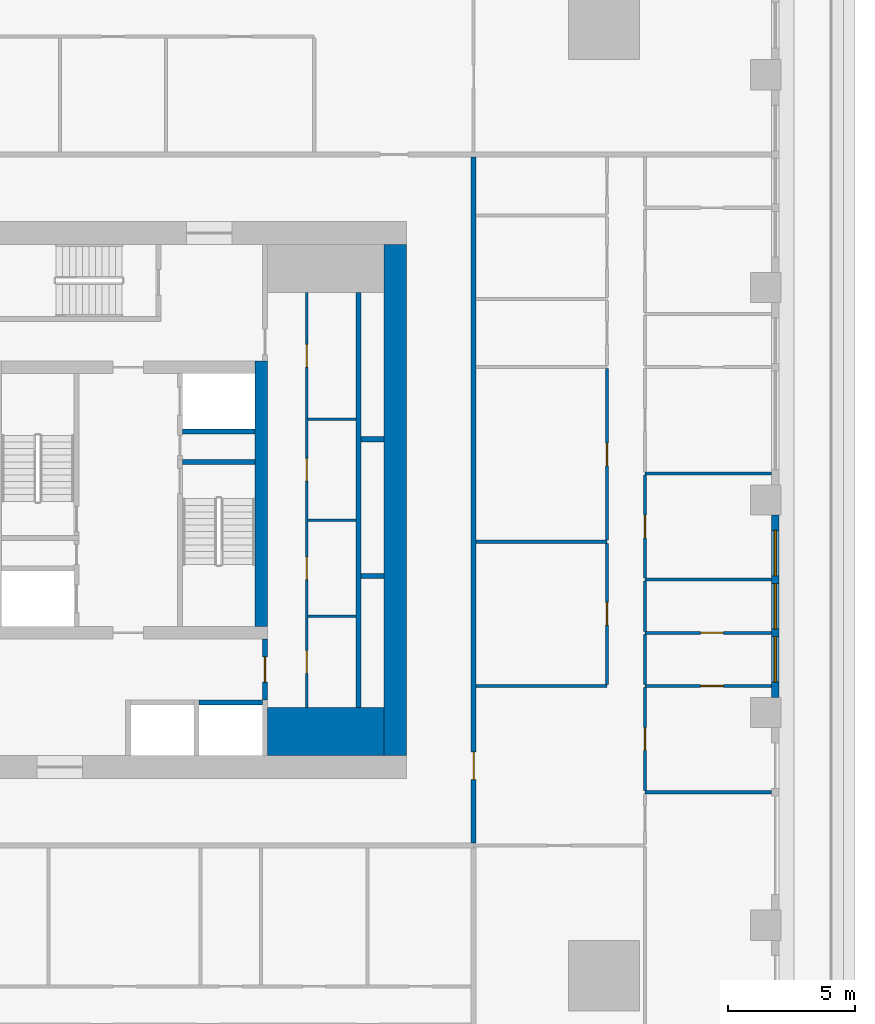
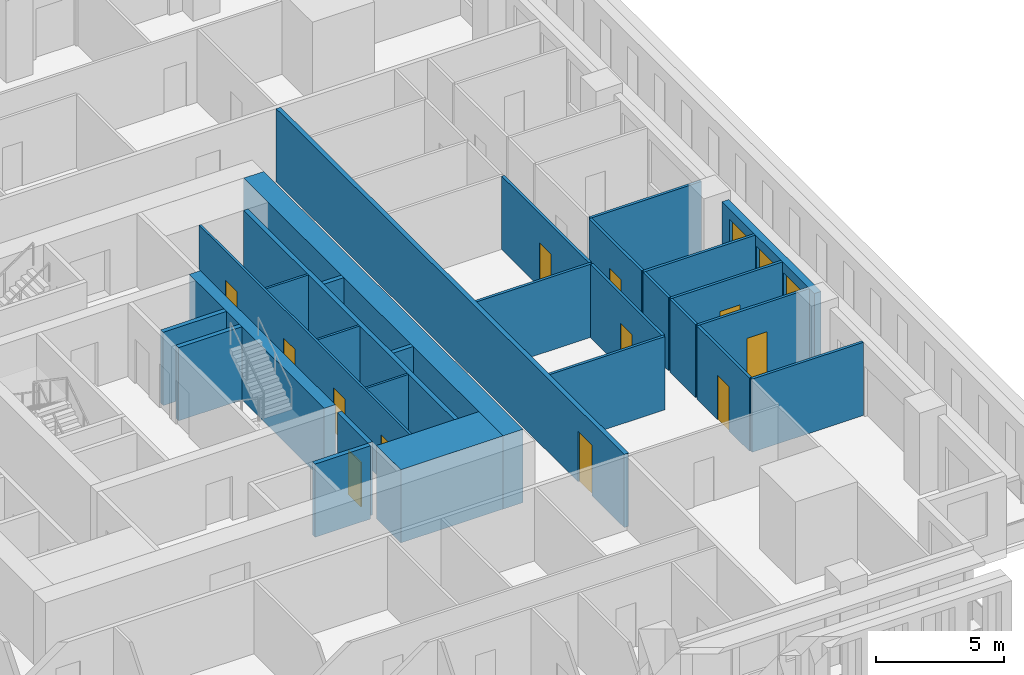
# One storey, part 5 of 14: 29 walls, 12 doors, 3 windows, 15 openings.
"""IFC4 building model written with IfcOpenShell, lengths in metres."""

from ifc_helpers import new_model, si_unit, direction, frame, frame_2d, origin, place, context, subcontext, project, spatial, rectangle, extrude, material, layer, layer_set, type_object, element, fill, save


model = new_model("IFC4")

# Units and contexts
model_context = context("Model", 3, precision=1e-05, world=origin(), true_north=direction((0.0, 1.0)))
body_context = subcontext(model_context, "Body", "Model", "MODEL_VIEW")
ifc_project = project(units=[si_unit("LENGTHUNIT", "METRE"), si_unit("AREAUNIT", "SQUARE_METRE"), si_unit("VOLUMEUNIT", "CUBIC_METRE"), si_unit("PLANEANGLEUNIT", "RADIAN"), si_unit("MASSUNIT", "GRAM", prefix="KILO")], contexts=[model_context])

# Site, building, storey
site_placement = place(None, origin())
site = spatial("IfcSite", under=ifc_project, at=site_placement, CompositionType="ELEMENT")
building_placement = place(site_placement, origin())
building = spatial("IfcBuilding", under=site, at=building_placement, Name="Khepri Terraces", CompositionType="ELEMENT")
storey_placement = place(building_placement, frame((0.0, 0.0, 110.39990234375)))
storey = spatial("IfcBuildingStorey", under=building, at=storey_placement, Name="L26", CompositionType="ELEMENT", Elevation=110.39990234375)

# Walls
ifc_material_1 = material(Name="Concrete C70/85", Category="concrete")
ifc_layer_1 = layer(ifc_material_1, 1.89990234375, Name="Concrete C70/85", Category="concrete")
ifc_layer_set_1 = layer_set([ifc_layer_1], Name="Concrete C70/85")
wall_type_1 = type_object("IfcWallType", Name="Core wall 1900 C70/85", PredefinedType="SHEAR", material=ifc_layer_set_1)
wall_1_placement = place(storey_placement, frame((5.5, -9.14990234375, 0.0), z_axis=(0.0, 0.0, 1.0), x_axis=(1.0, 0.0, 0.0)))
element("IfcWall", 1, at=wall_1_placement, inside=storey, type_object=wall_type_1, Name="Core wall PR02 L26", PredefinedType="SHEAR", context=body_context, shape_type="SweptSolid", body=[
    extrude(rectangle(XDim=4.60009765625, YDim=1.89990234375, at=frame_2d((2.300048828125, 0.0))), origin(), (0.0, 0.0, 1.0), 3.47998046875),
])
ifc_layer_2 = layer(ifc_material_1, 0.199951171875, Name="Concrete C70/85", Category="concrete")
ifc_layer_set_2 = layer_set([ifc_layer_2], Name="Concrete C70/85")
wall_type_2 = type_object("IfcWallType", Name="Core wall 200 C70/85", PredefinedType="SHEAR", material=ifc_layer_set_2)
wall_2_placement = place(storey_placement, frame((2.14990234375, 1.5, 0.0), z_axis=(0.0, 0.0, 1.0), x_axis=(1.0, 0.0, 0.0)))
element("IfcWall", 2, at=wall_2_placement, inside=storey, type_object=wall_type_2, Name="Core wall ST04 L26", PredefinedType="SHEAR", context=body_context, shape_type="SweptSolid", body=[
    extrude(rectangle(XDim=2.85009765625, YDim=0.199951171875, at=frame_2d((1.425048828125, 0.0))), origin(), (0.0, 0.0, 1.0), 3.47998046875),
])
wall_3_placement = place(storey_placement, frame((9.10009765625, -8.199951171875, 0.0), z_axis=(0.0, 0.0, 1.0), x_axis=(0.0, 1.0, 0.0)))
element("IfcWall", 3, at=wall_3_placement, inside=storey, type_object=wall_type_2, Name="Core wall SH05 L26", PredefinedType="SHEAR", context=body_context, shape_type="SweptSolid", body=[
    extrude(rectangle(XDim=16.39990234375, YDim=0.199951171875, at=frame_2d((8.199951171875, 0.0))), origin(), (0.0, 0.0, 1.0), 3.47998046875),
])
wall_4_placement = place(storey_placement, frame((2.800048828125, -8.0, 0.0), z_axis=(0.0, 0.0, 1.0), x_axis=(1.0, 0.0, 0.0)))
element("IfcWall", 4, at=wall_4_placement, inside=storey, type_object=wall_type_2, Name="Core wall SH07 L26", PredefinedType="SHEAR", context=body_context, shape_type="SweptSolid", body=[
    extrude(rectangle(XDim=2.5, YDim=0.199951171875, at=frame_2d((1.25, 0.0))), origin(), (0.0, 0.0, 1.0), 3.47998046875),
])
for number, where, z_axis, x_axis, name in (
    (5, (9.199951171875, -3.0, 0.0), (0.0, 0.0, 1.0), (1.0, 0.0, 0.0), "Core wall SH11 L26"),
    (6, (9.199951171875, 2.39990234375, 0.0), (0.0, 0.0, 1.0), (1.0, 0.0, 0.0), "Core wall SH16 L26"),
):
    element("IfcWall", number, at=place(storey_placement, frame(where, z_axis=z_axis, x_axis=x_axis)), inside=storey, type_object=wall_type_2, Name=name, PredefinedType="SHEAR", context=body_context, shape_type="SweptSolid", body=[
        extrude(rectangle(XDim=0.900146484375, YDim=0.199951171875, at=frame_2d((0.4501953125, 0.0))), origin(), (0.0, 0.0, 1.0), 3.47998046875),
    ])
wall_5_placement = place(storey_placement, frame((2.14990234375, 2.699951171875, 0.0), z_axis=(0.0, 0.0, 1.0), x_axis=(1.0, 0.0, 0.0)))
element("IfcWall", 7, at=wall_5_placement, inside=storey, type_object=wall_type_2, Name="Core wall SH18 L26", PredefinedType="SHEAR", context=body_context, shape_type="SweptSolid", body=[
    extrude(rectangle(XDim=2.85009765625, YDim=0.199951171875, at=frame_2d((1.425048828125, 0.0))), origin(), (0.0, 0.0, 1.0), 3.47998046875),
])
ifc_layer_3 = layer(ifc_material_1, 0.5, Name="Concrete C70/85", Category="concrete")
ifc_layer_set_3 = layer_set([ifc_layer_3], Name="Concrete C70/85")
wall_type_3 = type_object("IfcWallType", Name="Core wall 500 C70/85", PredefinedType="SHEAR", material=ifc_layer_set_3)
wall_6_placement = place(storey_placement, frame((5.25, -5.0, 0.0), z_axis=(0.0, 0.0, 1.0), x_axis=(0.0, 1.0, 0.0)))
element("IfcWall", 8, at=wall_6_placement, inside=storey, type_object=wall_type_3, Name="Core wall BX03 L26", PredefinedType="SHEAR", context=body_context, shape_type="SweptSolid", body=[
    extrude(rectangle(XDim=10.5, YDim=0.5, at=frame_2d((5.25, 0.0))), origin(), (0.0, 0.0, 1.0), 3.47998046875),
])
ifc_layer_4 = layer(ifc_material_1, 0.89990234375, Name="Concrete C70/85", Category="concrete")
ifc_layer_set_4 = layer_set([ifc_layer_4], Name="Concrete C70/85")
wall_type_4 = type_object("IfcWallType", Name="Core wall 900 C70/85", PredefinedType="SHEAR", material=ifc_layer_set_4)
wall_7_placement = place(storey_placement, frame((10.550048828125, -10.10009765625, 0.0), z_axis=(0.0, 0.0, 1.0), x_axis=(0.0, 1.0, 0.0)))
element("IfcWall", 9, at=wall_7_placement, inside=storey, type_object=wall_type_4, Name="Core wall OW-E L26", PredefinedType="SHEAR", context=body_context, shape_type="SweptSolid", body=[
    extrude(rectangle(XDim=20.2001953125, YDim=0.89990234375, at=frame_2d((10.10009765625, 0.0))), origin(), (0.0, 0.0, 1.0), 3.47998046875),
])

# Wall, openings, doors
ifc_material_2 = material(Name="Fire-rated gypsum board partition")
ifc_layer_5 = layer(ifc_material_2, 0.10009765625, Name="Fire-rated gypsum board partition")
ifc_layer_set_5 = layer_set([ifc_layer_5], Name="Fire-rated gypsum board partition")
wall_type_5 = type_object("IfcWallType", Name="WL-CORE-PART-100", PredefinedType="PARTITIONING", material=ifc_layer_set_5)
wall_8_placement = place(storey_placement, frame((7.050048828125, -8.199951171875, 0.0), z_axis=(0.0, 0.0, 1.0), x_axis=(0.0, 1.0, 0.0)))
wall_8 = element("IfcWall", 10, at=wall_8_placement, inside=storey, type_object=wall_type_5, Name="Core partition PT02 L26", PredefinedType="PARTITIONING", context=body_context, shape_type="SweptSolid", body=[
    extrude(rectangle(XDim=16.39990234375, YDim=0.10009765625, at=frame_2d((8.199951171875, 0.0))), origin(), (0.0, 0.0, 1.0), 3.47998046875),
])
opening_1_placement = place(wall_8_placement, frame((1.35009765625, 0.0, 0.0)))
opening_1 = element("IfcOpeningElement", 11, at=opening_1_placement, cuts=wall_8, Name="Opening L26-C22", PredefinedType="OPENING", context=body_context, shape_type="SweptSolid", body=[
    extrude(rectangle(XDim=0.89990234375, YDim=2.10009765625, at=frame_2d((0.449951171875, 1.050048828125))), frame((0.0, 0.06005859375, 0.0), z_axis=(0.0, -1.0, 0.0), x_axis=(1.0, 0.0, 0.0)), (0.0, 0.0, 1.0), 0.1201171875),
])
opening_2_placement = place(wall_8_placement, frame((5.050048828125, 0.0, 0.0)))
opening_2 = element("IfcOpeningElement", 12, at=opening_2_placement, cuts=wall_8, Name="Opening L26-C23", PredefinedType="OPENING", context=body_context, shape_type="SweptSolid", body=[
    extrude(rectangle(XDim=0.89990234375, YDim=2.10009765625, at=frame_2d((0.449951171875, 1.050048828125))), frame((0.0, 0.06005859375, 0.0), z_axis=(0.0, -1.0, 0.0), x_axis=(1.0, 0.0, 0.0)), (0.0, 0.0, 1.0), 0.1201171875),
])
opening_3_placement = place(wall_8_placement, frame((8.949951171875, 0.0, 0.0)))
opening_3 = element("IfcOpeningElement", 13, at=opening_3_placement, cuts=wall_8, Name="Opening L26-C24", PredefinedType="OPENING", context=body_context, shape_type="SweptSolid", body=[
    extrude(rectangle(XDim=0.89990234375, YDim=2.10009765625, at=frame_2d((0.449951171875, 1.050048828125))), frame((0.0, 0.06005859375, 0.0), z_axis=(0.0, -1.0, 0.0), x_axis=(1.0, 0.0, 0.0)), (0.0, 0.0, 1.0), 0.1201171875),
])
opening_4_placement = place(wall_8_placement, frame((13.449951171875, 0.0, 0.0)))
opening_4 = element("IfcOpeningElement", 14, at=opening_4_placement, cuts=wall_8, Name="Opening L26-C25", PredefinedType="OPENING", context=body_context, shape_type="SweptSolid", body=[
    extrude(rectangle(XDim=0.89990234375, YDim=2.10009765625, at=frame_2d((0.449951171875, 1.050048828125))), frame((0.0, 0.06005859375, 0.0), z_axis=(0.0, -1.0, 0.0), x_axis=(1.0, 0.0, 0.0)), (0.0, 0.0, 1.0), 0.1201171875),
])
ifc_material_3 = material(Name="Painted steel", Category="steel")
door_type_1 = type_object("IfcDoorType", Name="DR-CORE-SERVICE-900", OperationType="NOTDEFINED", PredefinedType="DOOR", material=ifc_material_3)
door_1_placement = place(opening_1_placement, frame((0.89990234375, 0.0, 0.0), z_axis=(0.0, 0.0, 1.0), x_axis=(-1.0, 0.0, 0.0)))
door_1 = element("IfcDoor", 15, at=door_1_placement, inside=storey, type_object=door_type_1, Name="Service room door L26-C22", OperationType="SINGLE_SWING_RIGHT", OverallHeight=2.10009765625, OverallWidth=0.89990234375, PredefinedType="DOOR", context=body_context, shape_type="SweptSolid", body=[
    extrude(rectangle(XDim=0.89990234375, YDim=2.10009765625, at=frame_2d((0.449951171875, 1.050048828125))), frame((0.0, 0.02490234375, 0.0), z_axis=(0.0, -1.0, 0.0), x_axis=(1.0, 0.0, 0.0)), (0.0, 0.0, 1.0), 0.050048828125),
])
fill(opening_1, door_1)
door_2_placement = place(opening_2_placement, frame((0.89990234375, 0.0, 0.0), z_axis=(0.0, 0.0, 1.0), x_axis=(-1.0, 0.0, 0.0)))
door_2 = element("IfcDoor", 16, at=door_2_placement, inside=storey, type_object=door_type_1, Name="Service room door L26-C23", OperationType="SINGLE_SWING_RIGHT", OverallHeight=2.10009765625, OverallWidth=0.89990234375, PredefinedType="DOOR", context=body_context, shape_type="SweptSolid", body=[
    extrude(rectangle(XDim=0.89990234375, YDim=2.10009765625, at=frame_2d((0.449951171875, 1.050048828125))), frame((0.0, 0.02490234375, 0.0), z_axis=(0.0, -1.0, 0.0), x_axis=(1.0, 0.0, 0.0)), (0.0, 0.0, 1.0), 0.050048828125),
])
fill(opening_2, door_2)
door_3_placement = place(opening_3_placement, frame((0.89990234375, 0.0, 0.0), z_axis=(0.0, 0.0, 1.0), x_axis=(-1.0, 0.0, 0.0)))
door_3 = element("IfcDoor", 17, at=door_3_placement, inside=storey, type_object=door_type_1, Name="Service room door L26-C24", OperationType="SINGLE_SWING_LEFT", OverallHeight=2.10009765625, OverallWidth=0.89990234375, PredefinedType="DOOR", context=body_context, shape_type="SweptSolid", body=[
    extrude(rectangle(XDim=0.89990234375, YDim=2.10009765625, at=frame_2d((0.449951171875, 1.050048828125))), frame((0.0, 0.02490234375, 0.0), z_axis=(0.0, -1.0, 0.0), x_axis=(1.0, 0.0, 0.0)), (0.0, 0.0, 1.0), 0.050048828125),
])
fill(opening_3, door_3)
door_4_placement = place(opening_4_placement, frame((0.89990234375, 0.0, 0.0), z_axis=(0.0, 0.0, 1.0), x_axis=(-1.0, 0.0, 0.0)))
door_4 = element("IfcDoor", 18, at=door_4_placement, inside=storey, type_object=door_type_1, Name="Service room door L26-C25", OperationType="SINGLE_SWING_LEFT", OverallHeight=2.10009765625, OverallWidth=0.89990234375, PredefinedType="DOOR", context=body_context, shape_type="SweptSolid", body=[
    extrude(rectangle(XDim=0.89990234375, YDim=2.10009765625, at=frame_2d((0.449951171875, 1.050048828125))), frame((0.0, 0.02490234375, 0.0), z_axis=(0.0, -1.0, 0.0), x_axis=(1.0, 0.0, 0.0)), (0.0, 0.0, 1.0), 0.050048828125),
])
fill(opening_4, door_4)

# Walls
for number, where, z_axis, x_axis, name in (
    (19, (7.10009765625, -4.60009765625, 0.0), (0.0, 0.0, 1.0), (1.0, 0.0, 0.0), "Core partition PT04 L26"),
    (20, (7.10009765625, -0.800048828125, 0.0), (0.0, 0.0, 1.0), (1.0, 0.0, 0.0), "Core partition PT05 L26"),
    (21, (7.10009765625, 3.199951171875, 0.0), (0.0, 0.0, 1.0), (1.0, 0.0, 0.0), "Core partition PT06 L26"),
):
    element("IfcWall", number, at=place(storey_placement, frame(where, z_axis=z_axis, x_axis=x_axis)), inside=storey, type_object=wall_type_5, Name=name, PredefinedType="PARTITIONING", context=body_context, shape_type="SweptSolid", body=[
        extrude(rectangle(XDim=1.89990234375, YDim=0.10009765625, at=frame_2d((0.949951171875, 0.0))), origin(), (0.0, 0.0, 1.0), 3.47998046875),
    ])

# Wall, opening, door
ifc_layer_6 = layer(ifc_material_2, 0.199951171875, Name="Fire-rated gypsum board partition")
ifc_layer_set_6 = layer_set([ifc_layer_6], Name="Fire-rated gypsum board partition")
wall_type_6 = type_object("IfcWallType", Name="WL-CORE-PART-200", PredefinedType="PARTITIONING", material=ifc_layer_set_6)
wall_9_placement = place(storey_placement, frame((5.39990234375, -7.89990234375, 0.0), z_axis=(0.0, 0.0, 1.0), x_axis=(0.0, 1.0, 0.0)))
wall_9 = element("IfcWall", 22, at=wall_9_placement, inside=storey, type_object=wall_type_6, Name="Core partition PT03 L26", PredefinedType="PARTITIONING", context=body_context, shape_type="SweptSolid", body=[
    extrude(rectangle(XDim=2.39990234375, YDim=0.199951171875, at=frame_2d((1.199951171875, 0.0))), origin(), (0.0, 0.0, 1.0), 3.47998046875),
])
opening_5_placement = place(wall_9_placement, frame((0.699951171875, 0.0, 0.0)))
opening_5 = element("IfcOpeningElement", 23, at=opening_5_placement, cuts=wall_9, Name="Opening L26-C19", PredefinedType="OPENING", context=body_context, shape_type="SweptSolid", body=[
    extrude(rectangle(XDim=1.0, YDim=2.10009765625, at=frame_2d((0.5, 1.050048828125))), frame((0.0, 0.10986328125, 0.0), z_axis=(0.0, -1.0, 0.0), x_axis=(1.0, 0.0, 0.0)), (0.0, 0.0, 1.0), 0.219970703125),
])
door_type_2 = type_object("IfcDoorType", Name="DR-CORE-LOBBY-1000", OperationType="NOTDEFINED", PredefinedType="DOOR", material=ifc_material_3)
door_5_placement = place(opening_5_placement, origin())
door_5 = element("IfcDoor", 24, at=door_5_placement, inside=storey, type_object=door_type_2, Name="Lobby door L26-C19", OperationType="SINGLE_SWING_RIGHT", OverallHeight=2.10009765625, OverallWidth=1.0, PredefinedType="DOOR", context=body_context, shape_type="SweptSolid", body=[
    extrude(rectangle(XDim=1.0, YDim=2.10009765625, at=frame_2d((0.5, 1.050048828125))), frame((0.0, 0.02490234375, 0.0), z_axis=(0.0, -1.0, 0.0), x_axis=(1.0, 0.0, 0.0)), (0.0, 0.0, 1.0), 0.050048828125),
])
fill(opening_5, door_5)

ifc_material_4 = material(Name="Fire-rated gypsum plasterboard partition, mineral wool")
ifc_layer_7 = layer(ifc_material_4, 0.199951171875, Name="Fire-rated gypsum plasterboard partition, mineral wool")
ifc_layer_set_7 = layer_set([ifc_layer_7], Name="Fire-rated gypsum plasterboard partition, mineral wool")
wall_type_7 = type_object("IfcWallType", Name="WL-CORR-200", PredefinedType="PARTITIONING", material=ifc_layer_set_7)
wall_10_placement = place(storey_placement, frame((13.64990234375, -13.550048828125, 0.0), z_axis=(0.0, 0.0, 1.0), x_axis=(0.0, 1.0, 0.0)))
wall_10 = element("IfcWall", 25, at=wall_10_placement, inside=storey, type_object=wall_type_7, Name="Partition P-024 L26", PredefinedType="PARTITIONING", context=body_context, shape_type="SweptSolid", body=[
    extrude(rectangle(XDim=27.10009765625, YDim=0.199951171875, at=frame_2d((13.550048828125, 0.0))), origin(), (0.0, 0.0, 1.0), 3.47998046875),
])
opening_6_placement = place(wall_10_placement, frame((2.5, 0.0, 0.0)))
opening_6 = element("IfcOpeningElement", 26, at=opening_6_placement, cuts=wall_10, Name="Opening D1", PredefinedType="OPENING", context=body_context, shape_type="SweptSolid", body=[
    extrude(rectangle(XDim=1.10009765625, YDim=2.39990234375, at=frame_2d((0.550048828125, 1.199951171875))), frame((0.0, 0.10986328125, 0.0), z_axis=(0.0, -1.0, 0.0), x_axis=(1.0, 0.0, 0.0)), (0.0, 0.0, 1.0), 0.219970703125),
])
ifc_material_5 = material(Name="Solid-core timber door leaf, flat entrance door", Category="wood")
door_type_3 = type_object("IfcDoorType", Name="DR-ENT-1100", OperationType="NOTDEFINED", PredefinedType="DOOR", material=ifc_material_5)
door_6_placement = place(opening_6_placement, frame((1.10009765625, 0.0, 0.0), z_axis=(0.0, 0.0, 1.0), x_axis=(-1.0, 0.0, 0.0)))
door_6 = element("IfcDoor", 27, at=door_6_placement, inside=storey, type_object=door_type_3, Name="Flat B1 entrance door", OperationType="SINGLE_SWING_RIGHT", OverallHeight=2.39990234375, OverallWidth=1.10009765625, PredefinedType="DOOR", context=body_context, shape_type="SweptSolid", body=[
    extrude(rectangle(XDim=1.10009765625, YDim=2.39990234375, at=frame_2d((0.550048828125, 1.199951171875))), frame((0.0, 0.02490234375, 0.0), z_axis=(0.0, -1.0, 0.0), x_axis=(1.0, 0.0, 0.0)), (0.0, 0.0, 1.0), 0.050048828125),
])
fill(opening_6, door_6)

# Wall, openings, windows
ifc_material_6 = material(Name="Precast concrete C50/60 warm stone", Category="masonry")
ifc_layer_8 = layer(ifc_material_6, 0.300048828125, Name="Precast concrete C50/60 warm stone", Category="masonry")
ifc_layer_set_8 = layer_set([ifc_layer_8], Name="Precast concrete C50/60 warm stone")
wall_type_8 = type_object("IfcWallType", Name="WL-EXT-PRECAST-300", PredefinedType="STANDARD", material=ifc_layer_set_8)
wall_11_placement = place(storey_placement, frame((25.570068359375, -7.800048828125, 0.0), z_axis=(0.0, 0.0, 1.0), x_axis=(0.0, 1.0, 0.0)))
wall_11 = element("IfcWall", 28, at=wall_11_placement, inside=storey, type_object=wall_type_8, Name="External wall L26 E", PredefinedType="STANDARD", context=body_context, shape_type="SweptSolid", body=[
    extrude(rectangle(XDim=7.199951171875, YDim=0.300048828125, at=frame_2d((3.60009765625, 0.0))), origin(), (0.0, 0.0, 1.0), 3.47998046875),
])
opening_7_placement = place(wall_11_placement, frame((0.60009765625, 0.0, 0.89990234375)))
opening_7 = element("IfcOpeningElement", 29, at=opening_7_placement, cuts=wall_11, Name="Opening W1", PredefinedType="OPENING", context=body_context, shape_type="SweptSolid", body=[
    extrude(rectangle(XDim=1.800048828125, YDim=2.10009765625, at=frame_2d((0.89990234375, 1.050048828125))), frame((0.0, 0.16015625, 0.0), z_axis=(0.0, -1.0, 0.0), x_axis=(1.0, 0.0, 0.0)), (0.0, 0.0, 1.0), 0.320068359375),
])
opening_8_placement = place(wall_11_placement, frame((2.699951171875, 0.0, 0.89990234375)))
opening_8 = element("IfcOpeningElement", 30, at=opening_8_placement, cuts=wall_11, Name="Opening W1", PredefinedType="OPENING", context=body_context, shape_type="SweptSolid", body=[
    extrude(rectangle(XDim=1.800048828125, YDim=2.10009765625, at=frame_2d((0.89990234375, 1.050048828125))), frame((0.0, 0.16015625, 0.0), z_axis=(0.0, -1.0, 0.0), x_axis=(1.0, 0.0, 0.0)), (0.0, 0.0, 1.0), 0.320068359375),
])
opening_9_placement = place(wall_11_placement, frame((4.800048828125, 0.0, 0.89990234375)))
opening_9 = element("IfcOpeningElement", 31, at=opening_9_placement, cuts=wall_11, Name="Opening W1", PredefinedType="OPENING", context=body_context, shape_type="SweptSolid", body=[
    extrude(rectangle(XDim=1.800048828125, YDim=2.10009765625, at=frame_2d((0.89990234375, 1.050048828125))), frame((0.0, 0.16015625, 0.0), z_axis=(0.0, -1.0, 0.0), x_axis=(1.0, 0.0, 0.0)), (0.0, 0.0, 1.0), 0.320068359375),
])
ifc_material_7 = material(Name="Clear glass", Category="glass")
window_type = type_object("IfcWindowType", Name="WIN-RES-1800x2100", PartitioningType="SINGLE_PANEL", PredefinedType="WINDOW", material=ifc_material_7)
window_1_placement = place(opening_7_placement, origin())
window_1 = element("IfcWindow", 32, at=window_1_placement, inside=storey, type_object=window_type, Name="Window L26 E", OverallHeight=2.10009765625, OverallWidth=1.800048828125, PartitioningType="SINGLE_PANEL", PredefinedType="WINDOW", context=body_context, shape_type="SweptSolid", body=[
    extrude(rectangle(XDim=1.800048828125, YDim=2.10009765625, at=frame_2d((0.89990234375, 1.050048828125))), frame((0.0, 0.030029296875, 0.0), z_axis=(0.0, -1.0, 0.0), x_axis=(1.0, 0.0, 0.0)), (0.0, 0.0, 1.0), 0.06005859375),
])
fill(opening_7, window_1)
window_2_placement = place(opening_8_placement, origin())
window_2 = element("IfcWindow", 33, at=window_2_placement, inside=storey, type_object=window_type, Name="Window L26 E", OverallHeight=2.10009765625, OverallWidth=1.800048828125, PartitioningType="SINGLE_PANEL", PredefinedType="WINDOW", context=body_context, shape_type="SweptSolid", body=[
    extrude(rectangle(XDim=1.800048828125, YDim=2.10009765625, at=frame_2d((0.89990234375, 1.050048828125))), frame((0.0, 0.030029296875, 0.0), z_axis=(0.0, -1.0, 0.0), x_axis=(1.0, 0.0, 0.0)), (0.0, 0.0, 1.0), 0.06005859375),
])
fill(opening_8, window_2)
window_3_placement = place(opening_9_placement, origin())
window_3 = element("IfcWindow", 34, at=window_3_placement, inside=storey, type_object=window_type, Name="Window L26 E", OverallHeight=2.10009765625, OverallWidth=1.800048828125, PartitioningType="SINGLE_PANEL", PredefinedType="WINDOW", context=body_context, shape_type="SweptSolid", body=[
    extrude(rectangle(XDim=1.800048828125, YDim=2.10009765625, at=frame_2d((0.89990234375, 1.050048828125))), frame((0.0, 0.030029296875, 0.0), z_axis=(0.0, -1.0, 0.0), x_axis=(1.0, 0.0, 0.0)), (0.0, 0.0, 1.0), 0.06005859375),
])
fill(opening_9, window_3)

# Wall
ifc_material_8 = material(Name="Gypsum plasterboard partition")
ifc_layer_9 = layer(ifc_material_8, 0.1201171875, Name="Gypsum plasterboard partition")
ifc_layer_set_9 = layer_set([ifc_layer_9], Name="Gypsum plasterboard partition")
wall_type_9 = type_object("IfcWallType", Name="WL-PART-120", PredefinedType="PARTITIONING", material=ifc_layer_set_9)
wall_12_placement = place(storey_placement, frame((20.419921875, -11.550048828125, 0.0), z_axis=(0.0, 0.0, 1.0), x_axis=(1.0, 0.0, 0.0)))
element("IfcWall", 35, at=wall_12_placement, inside=storey, type_object=wall_type_9, Name="Partition P-025 L26", PredefinedType="PARTITIONING", context=body_context, shape_type="SweptSolid", body=[
    extrude(rectangle(XDim=5.0, YDim=0.1201171875, at=frame_2d((2.5, 0.0))), origin(), (0.0, 0.0, 1.0), 3.47998046875),
])

# Wall, opening, door
wall_13_placement = place(storey_placement, frame((20.419921875, -11.489990234375, 0.0), z_axis=(0.0, 0.0, 1.0), x_axis=(0.0, 1.0, 0.0)))
wall_13 = element("IfcWall", 36, at=wall_13_placement, inside=storey, type_object=wall_type_9, Name="Partition P-026 L26", PredefinedType="PARTITIONING", context=body_context, shape_type="SweptSolid", body=[
    extrude(rectangle(XDim=4.080078125, YDim=0.1201171875, at=frame_2d((2.0400390625, 0.0))), origin(), (0.0, 0.0, 1.0), 3.47998046875),
])
opening_10_placement = place(wall_13_placement, frame((1.590087890625, 0.0, 0.0)))
opening_10 = element("IfcOpeningElement", 37, at=opening_10_placement, cuts=wall_13, Name="Opening D3", PredefinedType="OPENING", context=body_context, shape_type="SweptSolid", body=[
    extrude(rectangle(XDim=0.89990234375, YDim=2.10009765625, at=frame_2d((0.449951171875, 1.050048828125))), frame((0.0, 0.070068359375, 0.0), z_axis=(0.0, -1.0, 0.0), x_axis=(1.0, 0.0, 0.0)), (0.0, 0.0, 1.0), 0.14013671875),
])
ifc_material_9 = material(Name="Timber door leaf", Category="wood")
door_type_4 = type_object("IfcDoorType", Name="DR-INT-900", OperationType="NOTDEFINED", PredefinedType="DOOR", material=ifc_material_9)
door_7_placement = place(opening_10_placement, frame((0.89990234375, 0.0, 0.0), z_axis=(0.0, 0.0, 1.0), x_axis=(-1.0, 0.0, 0.0)))
door_7 = element("IfcDoor", 38, at=door_7_placement, inside=storey, type_object=door_type_4, Name="Door Master Bedroom", OperationType="SINGLE_SWING_LEFT", OverallHeight=2.10009765625, OverallWidth=0.89990234375, PredefinedType="DOOR", context=body_context, shape_type="SweptSolid", body=[
    extrude(rectangle(XDim=0.89990234375, YDim=2.10009765625, at=frame_2d((0.449951171875, 1.050048828125))), frame((0.0, 0.02490234375, 0.0), z_axis=(0.0, -1.0, 0.0), x_axis=(1.0, 0.0, 0.0)), (0.0, 0.0, 1.0), 0.050048828125),
])
fill(opening_10, door_7)

# Wall
wall_14_placement = place(storey_placement, frame((13.75, -7.35009765625, 0.0), z_axis=(0.0, 0.0, 1.0), x_axis=(1.0, 0.0, 0.0)))
element("IfcWall", 39, at=wall_14_placement, inside=storey, type_object=wall_type_9, Name="Partition P-030 L26", PredefinedType="PARTITIONING", context=body_context, shape_type="SweptSolid", body=[
    extrude(rectangle(XDim=5.169921875, YDim=0.1201171875, at=frame_2d((2.5849609375, 0.0))), origin(), (0.0, 0.0, 1.0), 3.47998046875),
])

# Wall, opening, door
wall_15_placement = place(storey_placement, frame((20.419921875, -7.35009765625, 0.0), z_axis=(0.0, 0.0, 1.0), x_axis=(1.0, 0.0, 0.0)))
wall_15 = element("IfcWall", 40, at=wall_15_placement, inside=storey, type_object=wall_type_9, Name="Partition P-031 L26", PredefinedType="PARTITIONING", context=body_context, shape_type="SweptSolid", body=[
    extrude(rectangle(XDim=5.0, YDim=0.1201171875, at=frame_2d((2.5, 0.0))), origin(), (0.0, 0.0, 1.0), 3.47998046875),
])
opening_11_placement = place(wall_15_placement, frame((2.199951171875, 0.0, 0.0)))
opening_11 = element("IfcOpeningElement", 41, at=opening_11_placement, cuts=wall_15, Name="Opening D3", PredefinedType="OPENING", context=body_context, shape_type="SweptSolid", body=[
    extrude(rectangle(XDim=0.89990234375, YDim=2.10009765625, at=frame_2d((0.449951171875, 1.050048828125))), frame((0.0, 0.070068359375, 0.0), z_axis=(0.0, -1.0, 0.0), x_axis=(1.0, 0.0, 0.0)), (0.0, 0.0, 1.0), 0.14013671875),
])
door_8_placement = place(opening_11_placement, origin())
door_8 = element("IfcDoor", 42, at=door_8_placement, inside=storey, type_object=door_type_4, Name="Door Dressing Room", OperationType="SINGLE_SWING_RIGHT", OverallHeight=2.10009765625, OverallWidth=0.89990234375, PredefinedType="DOOR", context=body_context, shape_type="SweptSolid", body=[
    extrude(rectangle(XDim=0.89990234375, YDim=2.10009765625, at=frame_2d((0.449951171875, 1.050048828125))), frame((0.0, 0.02490234375, 0.0), z_axis=(0.0, -1.0, 0.0), x_axis=(1.0, 0.0, 0.0)), (0.0, 0.0, 1.0), 0.050048828125),
])
fill(opening_11, door_8)

wall_16_placement = place(storey_placement, frame((18.919921875, -7.2900390625, 0.0), z_axis=(0.0, 0.0, 1.0), x_axis=(0.0, 1.0, 0.0)))
wall_16 = element("IfcWall", 43, at=wall_16_placement, inside=storey, type_object=wall_type_9, Name="Partition P-033 L26", PredefinedType="PARTITIONING", context=body_context, shape_type="SweptSolid", body=[
    extrude(rectangle(XDim=5.580078125, YDim=0.1201171875, at=frame_2d((2.7900390625, 0.0))), origin(), (0.0, 0.0, 1.0), 3.47998046875),
])
opening_12_placement = place(wall_16_placement, frame((2.340087890625, 0.0, 0.0)))
opening_12 = element("IfcOpeningElement", 44, at=opening_12_placement, cuts=wall_16, Name="Opening D3", PredefinedType="OPENING", context=body_context, shape_type="SweptSolid", body=[
    extrude(rectangle(XDim=0.89990234375, YDim=2.10009765625, at=frame_2d((0.449951171875, 1.050048828125))), frame((0.0, 0.070068359375, 0.0), z_axis=(0.0, -1.0, 0.0), x_axis=(1.0, 0.0, 0.0)), (0.0, 0.0, 1.0), 0.14013671875),
])
door_9_placement = place(opening_12_placement, origin())
door_9 = element("IfcDoor", 45, at=door_9_placement, inside=storey, type_object=door_type_4, Name="Door Kitchen", OperationType="SINGLE_SWING_RIGHT", OverallHeight=2.10009765625, OverallWidth=0.89990234375, PredefinedType="DOOR", context=body_context, shape_type="SweptSolid", body=[
    extrude(rectangle(XDim=0.89990234375, YDim=2.10009765625, at=frame_2d((0.449951171875, 1.050048828125))), frame((0.0, 0.02490234375, 0.0), z_axis=(0.0, -1.0, 0.0), x_axis=(1.0, 0.0, 0.0)), (0.0, 0.0, 1.0), 0.050048828125),
])
fill(opening_12, door_9)

# Wall
wall_17_placement = place(storey_placement, frame((20.419921875, -7.2900390625, 0.0), z_axis=(0.0, 0.0, 1.0), x_axis=(0.0, 1.0, 0.0)))
element("IfcWall", 46, at=wall_17_placement, inside=storey, type_object=wall_type_9, Name="Partition P-034 L26", PredefinedType="PARTITIONING", context=body_context, shape_type="SweptSolid", body=[
    extrude(rectangle(XDim=1.97998046875, YDim=0.1201171875, at=frame_2d((0.989990234375, 0.0))), origin(), (0.0, 0.0, 1.0), 3.47998046875),
])

# Wall, opening, door
wall_18_placement = place(storey_placement, frame((20.419921875, -5.25, 0.0), z_axis=(0.0, 0.0, 1.0), x_axis=(1.0, 0.0, 0.0)))
wall_18 = element("IfcWall", 47, at=wall_18_placement, inside=storey, type_object=wall_type_9, Name="Partition P-035 L26", PredefinedType="PARTITIONING", context=body_context, shape_type="SweptSolid", body=[
    extrude(rectangle(XDim=5.0, YDim=0.1201171875, at=frame_2d((2.5, 0.0))), origin(), (0.0, 0.0, 1.0), 3.47998046875),
])
opening_13_placement = place(wall_18_placement, frame((2.199951171875, 0.0, 0.0)))
opening_13 = element("IfcOpeningElement", 48, at=opening_13_placement, cuts=wall_18, Name="Opening D4", PredefinedType="OPENING", context=body_context, shape_type="SweptSolid", body=[
    extrude(rectangle(XDim=0.89990234375, YDim=2.10009765625, at=frame_2d((0.449951171875, 1.050048828125))), frame((0.0, 0.070068359375, 0.0), z_axis=(0.0, -1.0, 0.0), x_axis=(1.0, 0.0, 0.0)), (0.0, 0.0, 1.0), 0.14013671875),
])
ifc_material_10 = material(Name="Timber door leaf, moisture resistant", Category="wood")
door_type_5 = type_object("IfcDoorType", Name="DR-WET-900", OperationType="NOTDEFINED", PredefinedType="DOOR", material=ifc_material_10)
door_10_placement = place(opening_13_placement, origin())
door_10 = element("IfcDoor", 49, at=door_10_placement, inside=storey, type_object=door_type_5, Name="Door Bathroom", OperationType="SINGLE_SWING_RIGHT", OverallHeight=2.10009765625, OverallWidth=0.89990234375, PredefinedType="DOOR", context=body_context, shape_type="SweptSolid", body=[
    extrude(rectangle(XDim=0.89990234375, YDim=2.10009765625, at=frame_2d((0.449951171875, 1.050048828125))), frame((0.0, 0.02490234375, 0.0), z_axis=(0.0, -1.0, 0.0), x_axis=(1.0, 0.0, 0.0)), (0.0, 0.0, 1.0), 0.050048828125),
])
fill(opening_13, door_10)

# Walls
wall_19_placement = place(storey_placement, frame((20.419921875, -5.18994140625, 0.0), z_axis=(0.0, 0.0, 1.0), x_axis=(0.0, 1.0, 0.0)))
element("IfcWall", 50, at=wall_19_placement, inside=storey, type_object=wall_type_9, Name="Partition P-036 L26", PredefinedType="PARTITIONING", context=body_context, shape_type="SweptSolid", body=[
    extrude(rectangle(XDim=1.97998046875, YDim=0.1201171875, at=frame_2d((0.989990234375, 0.0))), origin(), (0.0, 0.0, 1.0), 3.47998046875),
])
wall_20_placement = place(storey_placement, frame((20.419921875, -3.14990234375, 0.0), z_axis=(0.0, 0.0, 1.0), x_axis=(1.0, 0.0, 0.0)))
element("IfcWall", 51, at=wall_20_placement, inside=storey, type_object=wall_type_9, Name="Partition P-037 L26", PredefinedType="PARTITIONING", context=body_context, shape_type="SweptSolid", body=[
    extrude(rectangle(XDim=5.0, YDim=0.1201171875, at=frame_2d((2.5, 0.0))), origin(), (0.0, 0.0, 1.0), 3.47998046875),
])

# Wall, opening, door
wall_21_placement = place(storey_placement, frame((20.419921875, -3.090087890625, 0.0), z_axis=(0.0, 0.0, 1.0), x_axis=(0.0, 1.0, 0.0)))
wall_21 = element("IfcWall", 52, at=wall_21_placement, inside=storey, type_object=wall_type_9, Name="Partition P-038 L26", PredefinedType="PARTITIONING", context=body_context, shape_type="SweptSolid", body=[
    extrude(rectangle(XDim=4.080078125, YDim=0.1201171875, at=frame_2d((2.0400390625, 0.0))), origin(), (0.0, 0.0, 1.0), 3.47998046875),
])
opening_14_placement = place(wall_21_placement, frame((1.590087890625, 0.0, 0.0)))
opening_14 = element("IfcOpeningElement", 53, at=opening_14_placement, cuts=wall_21, Name="Opening D3", PredefinedType="OPENING", context=body_context, shape_type="SweptSolid", body=[
    extrude(rectangle(XDim=0.89990234375, YDim=2.10009765625, at=frame_2d((0.449951171875, 1.050048828125))), frame((0.0, 0.070068359375, 0.0), z_axis=(0.0, -1.0, 0.0), x_axis=(1.0, 0.0, 0.0)), (0.0, 0.0, 1.0), 0.14013671875),
])
door_11_placement = place(opening_14_placement, frame((0.89990234375, 0.0, 0.0), z_axis=(0.0, 0.0, 1.0), x_axis=(-1.0, 0.0, 0.0)))
door_11 = element("IfcDoor", 54, at=door_11_placement, inside=storey, type_object=door_type_4, Name="Door Home Office", OperationType="SINGLE_SWING_LEFT", OverallHeight=2.10009765625, OverallWidth=0.89990234375, PredefinedType="DOOR", context=body_context, shape_type="SweptSolid", body=[
    extrude(rectangle(XDim=0.89990234375, YDim=2.10009765625, at=frame_2d((0.449951171875, 1.050048828125))), frame((0.0, 0.02490234375, 0.0), z_axis=(0.0, -1.0, 0.0), x_axis=(1.0, 0.0, 0.0)), (0.0, 0.0, 1.0), 0.050048828125),
])
fill(opening_14, door_11)

# Wall
wall_22_placement = place(storey_placement, frame((13.75, -1.64990234375, 0.0), z_axis=(0.0, 0.0, 1.0), x_axis=(1.0, 0.0, 0.0)))
element("IfcWall", 55, at=wall_22_placement, inside=storey, type_object=wall_type_9, Name="Partition P-039 L26", PredefinedType="PARTITIONING", context=body_context, shape_type="SweptSolid", body=[
    extrude(rectangle(XDim=5.169921875, YDim=0.1201171875, at=frame_2d((2.5849609375, 0.0))), origin(), (0.0, 0.0, 1.0), 3.47998046875),
])

# Wall, opening, door
wall_23_placement = place(storey_placement, frame((18.919921875, -1.590087890625, 0.0), z_axis=(0.0, 0.0, 1.0), x_axis=(0.0, 1.0, 0.0)))
wall_23 = element("IfcWall", 56, at=wall_23_placement, inside=storey, type_object=wall_type_9, Name="Partition P-040 L26", PredefinedType="PARTITIONING", context=body_context, shape_type="SweptSolid", body=[
    extrude(rectangle(XDim=6.780029296875, YDim=0.1201171875, at=frame_2d((3.39013671875, 0.0))), origin(), (0.0, 0.0, 1.0), 3.47998046875),
])
opening_15_placement = place(wall_23_placement, frame((2.93994140625, 0.0, 0.0)))
opening_15 = element("IfcOpeningElement", 57, at=opening_15_placement, cuts=wall_23, Name="Opening D3", PredefinedType="OPENING", context=body_context, shape_type="SweptSolid", body=[
    extrude(rectangle(XDim=0.89990234375, YDim=2.10009765625, at=frame_2d((0.449951171875, 1.050048828125))), frame((0.0, 0.070068359375, 0.0), z_axis=(0.0, -1.0, 0.0), x_axis=(1.0, 0.0, 0.0)), (0.0, 0.0, 1.0), 0.14013671875),
])
door_12_placement = place(opening_15_placement, origin())
door_12 = element("IfcDoor", 58, at=door_12_placement, inside=storey, type_object=door_type_4, Name="Door Staff Bedroom", OperationType="SINGLE_SWING_LEFT", OverallHeight=2.10009765625, OverallWidth=0.89990234375, PredefinedType="DOOR", context=body_context, shape_type="SweptSolid", body=[
    extrude(rectangle(XDim=0.89990234375, YDim=2.10009765625, at=frame_2d((0.449951171875, 1.050048828125))), frame((0.0, 0.02490234375, 0.0), z_axis=(0.0, -1.0, 0.0), x_axis=(1.0, 0.0, 0.0)), (0.0, 0.0, 1.0), 0.050048828125),
])
fill(opening_15, door_12)

# Wall
wall_24_placement = place(storey_placement, frame((20.419921875, 1.050048828125, 0.0), z_axis=(0.0, 0.0, 1.0), x_axis=(1.0, 0.0, 0.0)))
element("IfcWall", 59, at=wall_24_placement, inside=storey, type_object=wall_type_9, Name="Partition P-042 L26", PredefinedType="PARTITIONING", context=body_context, shape_type="SweptSolid", body=[
    extrude(rectangle(XDim=5.0, YDim=0.1201171875, at=frame_2d((2.5, 0.0))), origin(), (0.0, 0.0, 1.0), 3.47998046875),
])

save(model, "model.ifc")
